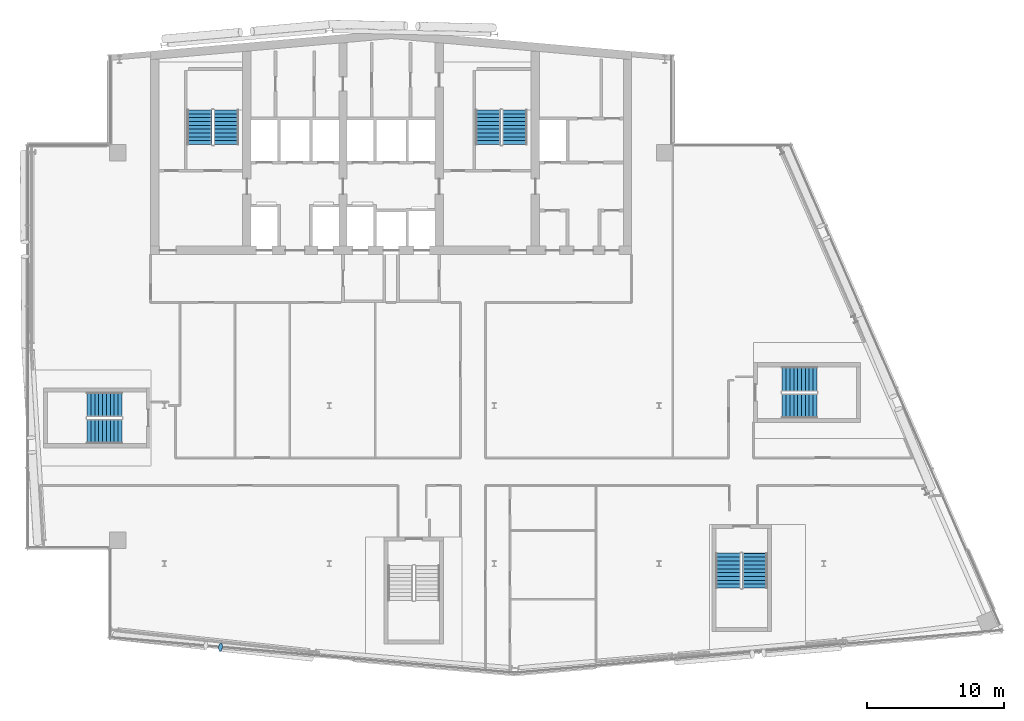
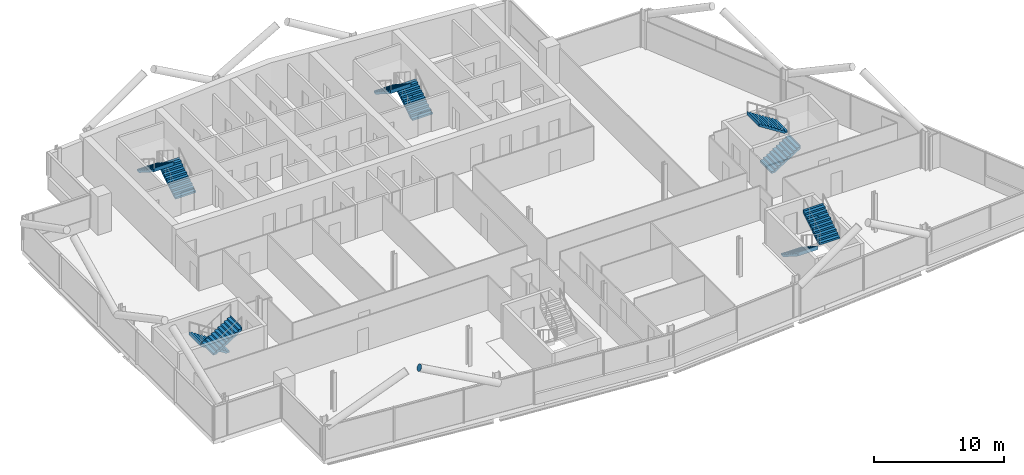
# One storey, part 20 of 26: 10 stair flights, 1 discrete accessory, 5 elements without a shape of their own.
"""IFC4 building model written with IfcOpenShell, lengths in metres."""

from ifc_helpers import new_model, si_unit, direction, frame, origin, origin_2d, place, context, subcontext, project, spatial, polyline, circle, outline, extrude, material, material_profile, profile_set, type_object, element, aggregate, save


model = new_model("IFC4")

# Units and contexts
model_context = context("Model", 3, precision=1e-05, world=origin(), true_north=direction((0.0, 1.0)))
body_context = subcontext(model_context, "Body", "Model", "MODEL_VIEW")
ifc_project = project(units=[si_unit("LENGTHUNIT", "METRE"), si_unit("AREAUNIT", "SQUARE_METRE"), si_unit("VOLUMEUNIT", "CUBIC_METRE"), si_unit("PLANEANGLEUNIT", "RADIAN"), si_unit("MASSUNIT", "GRAM", prefix="KILO")], contexts=[model_context])

# Site, building, storey
site_placement = place(None, origin())
site = spatial("IfcSite", under=ifc_project, at=site_placement, CompositionType="ELEMENT")
building_placement = place(site_placement, origin())
building = spatial("IfcBuilding", under=site, at=building_placement, Name="Wharfspan Tower", CompositionType="ELEMENT")
storey_placement = place(building_placement, frame((0.0, 0.0, 217.899902)))
storey = spatial("IfcBuildingStorey", under=building, at=storey_placement, Name="L54", CompositionType="ELEMENT", Elevation=217.899902)

# Stair, stair flights
ifc_material_1 = material(Name="Concrete C40/50", Category="concrete")
stair_type = type_object("IfcStairType", Name="Half-turn stair 20 risers 180 mm", PredefinedType="HALF_TURN_STAIR", material=ifc_material_1)
stair_1_placement = place(storey_placement, origin())
stair_1 = element("IfcStair", 1, at=stair_1_placement, inside=storey, type_object=stair_type, Name="L54 stair ST1", PredefinedType="HALF_TURN_STAIR")
stair_flight_type = type_object("IfcStairFlightType", Name="Stair flight 20 risers 180 mm", PredefinedType="STRAIGHT", material=ifc_material_1)
stair_flight_1_placement = place(storey_placement, frame((28.5, 42.0, 0.0), z_axis=(0.0, 0.0, 1.0), x_axis=(0.0, 1.0, 0.0)))
stair_flight_1 = element("IfcStairFlight", 2, at=stair_flight_1_placement, type_object=stair_flight_type, Name="ST1 flight 1", NumberOfRisers=10, NumberOfTreads=9, PredefinedType="STRAIGHT", RiserHeight=0.18, TreadLength=0.28, context=body_context, shape_type="SweptSolid", body=[
    extrude(outline(polyline([(-0.011963, 0.0), (-0.011963, 0.179932), (0.0, 0.179932), (0.280029, 0.179932), (0.280029, 0.360107), (0.560059, 0.360107), (0.560059, 0.540039), (0.840088, 0.540039), (0.840088, 0.719971), (1.120117, 0.719971), (1.120117, 0.899902), (1.399902, 0.899902), (1.399902, 1.080078), (1.679932, 1.080078), (1.679932, 1.26001), (1.959961, 1.26001), (1.959961, 1.439941), (2.23999, 1.439941), (2.23999, 1.620117), (2.52002, 1.620117), (2.531982, 1.800049), (2.531982, 1.441895), (0.2771, 0.0), (-0.011963, 0.0)])), frame((0.0, 0.899902, 0.0), z_axis=(0.0, -1.0, 0.0), x_axis=(1.0, 0.0, 0.0)), (0.0, 0.0, 1.0), 0.899414),
    extrude(outline(polyline([(-0.011963, 0.0), (-0.011963, 0.179932), (0.0, 0.179932), (0.280029, 0.179932), (0.280029, 0.360107), (0.560059, 0.360107), (0.560059, 0.540039), (0.840088, 0.540039), (0.840088, 0.719971), (1.120117, 0.719971), (1.120117, 0.899902), (1.399902, 0.899902), (1.399902, 1.080078), (1.679932, 1.080078), (1.679932, 1.26001), (1.959961, 1.26001), (1.959961, 1.439941), (2.23999, 1.439941), (2.23999, 1.620117), (2.52002, 1.620117), (2.531982, 1.800049), (2.531982, 1.441895), (0.2771, 0.0), (-0.011963, 0.0)])), frame((0.0, -0.000488, 0.0), z_axis=(0.0, -1.0, 0.0), x_axis=(1.0, 0.0, 0.0)), (0.0, 0.0, 1.0), 0.899414),
])
stair_flight_2_placement = place(storey_placement, frame((26.550049, 44.52002, 1.800049), z_axis=(0.0, 0.0, 1.0), x_axis=(0.0, -1.0, 0.0)))
stair_flight_2 = element("IfcStairFlight", 3, at=stair_flight_2_placement, type_object=stair_flight_type, Name="ST1 flight 2", NumberOfRisers=10, NumberOfTreads=9, PredefinedType="STRAIGHT", RiserHeight=0.18, TreadLength=0.28, context=body_context, shape_type="SweptSolid", body=[
    extrude(outline(polyline([(-0.011963, 0.0), (-0.011963, 0.179932), (0.0, 0.179932), (0.280029, 0.179932), (0.280029, 0.360107), (0.560059, 0.360107), (0.560059, 0.540039), (0.840088, 0.540039), (0.840088, 0.719971), (1.120117, 0.719971), (1.120117, 0.899902), (1.399902, 0.899902), (1.399902, 1.080078), (1.679932, 1.080078), (1.679932, 1.26001), (1.959961, 1.26001), (1.959961, 1.439941), (2.23999, 1.439941), (2.23999, 1.620117), (2.52002, 1.620117), (2.531982, 1.800049), (2.531982, 1.441895), (0.2771, 0.0), (-0.011963, 0.0)])), frame((0.0, 0.899902, 0.0), z_axis=(0.0, -1.0, 0.0), x_axis=(1.0, 0.0, 0.0)), (0.0, 0.0, 1.0), 0.899414),
    extrude(outline(polyline([(-0.011963, 0.0), (-0.011963, 0.179932), (0.0, 0.179932), (0.280029, 0.179932), (0.280029, 0.360107), (0.560059, 0.360107), (0.560059, 0.540039), (0.840088, 0.540039), (0.840088, 0.719971), (1.120117, 0.719971), (1.120117, 0.899902), (1.399902, 0.899902), (1.399902, 1.080078), (1.679932, 1.080078), (1.679932, 1.26001), (1.959961, 1.26001), (1.959961, 1.439941), (2.23999, 1.439941), (2.23999, 1.620117), (2.52002, 1.620117), (2.531982, 1.800049), (2.531982, 1.441895), (0.2771, 0.0), (-0.011963, 0.0)])), frame((0.0, -0.000488, 0.0), z_axis=(0.0, -1.0, 0.0), x_axis=(1.0, 0.0, 0.0)), (0.0, 0.0, 1.0), 0.899414),
])
aggregate(stair_1, [stair_flight_1, stair_flight_2])

stair_2_placement = place(storey_placement, origin())
stair_2 = element("IfcStair", 4, at=stair_2_placement, inside=storey, type_object=stair_type, Name="L54 stair ST2", PredefinedType="HALF_TURN_STAIR")
stair_flight_3_placement = place(storey_placement, frame((49.5, 42.0, 0.0), z_axis=(0.0, 0.0, 1.0), x_axis=(0.0, 1.0, 0.0)))
stair_flight_3 = element("IfcStairFlight", 5, at=stair_flight_3_placement, type_object=stair_flight_type, Name="ST2 flight 1", NumberOfRisers=10, NumberOfTreads=9, PredefinedType="STRAIGHT", RiserHeight=0.18, TreadLength=0.28, context=body_context, shape_type="SweptSolid", body=[
    extrude(outline(polyline([(-0.011963, 0.0), (-0.011963, 0.179932), (0.0, 0.179932), (0.280029, 0.179932), (0.280029, 0.360107), (0.560059, 0.360107), (0.560059, 0.540039), (0.840088, 0.540039), (0.840088, 0.719971), (1.120117, 0.719971), (1.120117, 0.899902), (1.399902, 0.899902), (1.399902, 1.080078), (1.679932, 1.080078), (1.679932, 1.26001), (1.959961, 1.26001), (1.959961, 1.439941), (2.23999, 1.439941), (2.23999, 1.620117), (2.52002, 1.620117), (2.531982, 1.800049), (2.531982, 1.441895), (0.2771, 0.0), (-0.011963, 0.0)])), frame((0.0, 0.899902, 0.0), z_axis=(0.0, -1.0, 0.0), x_axis=(1.0, 0.0, 0.0)), (0.0, 0.0, 1.0), 0.899414),
    extrude(outline(polyline([(-0.011963, 0.0), (-0.011963, 0.179932), (0.0, 0.179932), (0.280029, 0.179932), (0.280029, 0.360107), (0.560059, 0.360107), (0.560059, 0.540039), (0.840088, 0.540039), (0.840088, 0.719971), (1.120117, 0.719971), (1.120117, 0.899902), (1.399902, 0.899902), (1.399902, 1.080078), (1.679932, 1.080078), (1.679932, 1.26001), (1.959961, 1.26001), (1.959961, 1.439941), (2.23999, 1.439941), (2.23999, 1.620117), (2.52002, 1.620117), (2.531982, 1.800049), (2.531982, 1.441895), (0.2771, 0.0), (-0.011963, 0.0)])), frame((0.0, -0.000488, 0.0), z_axis=(0.0, -1.0, 0.0), x_axis=(1.0, 0.0, 0.0)), (0.0, 0.0, 1.0), 0.899414),
])
stair_flight_4_placement = place(storey_placement, frame((47.550049, 44.52002, 1.800049), z_axis=(0.0, 0.0, 1.0), x_axis=(0.0, -1.0, 0.0)))
stair_flight_4 = element("IfcStairFlight", 6, at=stair_flight_4_placement, type_object=stair_flight_type, Name="ST2 flight 2", NumberOfRisers=10, NumberOfTreads=9, PredefinedType="STRAIGHT", RiserHeight=0.18, TreadLength=0.28, context=body_context, shape_type="SweptSolid", body=[
    extrude(outline(polyline([(-0.011963, 0.0), (-0.011963, 0.179932), (0.0, 0.179932), (0.280029, 0.179932), (0.280029, 0.360107), (0.560059, 0.360107), (0.560059, 0.540039), (0.840088, 0.540039), (0.840088, 0.719971), (1.120117, 0.719971), (1.120117, 0.899902), (1.399902, 0.899902), (1.399902, 1.080078), (1.679932, 1.080078), (1.679932, 1.26001), (1.959961, 1.26001), (1.959961, 1.439941), (2.23999, 1.439941), (2.23999, 1.620117), (2.52002, 1.620117), (2.531982, 1.800049), (2.531982, 1.441895), (0.2771, 0.0), (-0.011963, 0.0)])), frame((0.0, 0.899902, 0.0), z_axis=(0.0, -1.0, 0.0), x_axis=(1.0, 0.0, 0.0)), (0.0, 0.0, 1.0), 0.899414),
    extrude(outline(polyline([(-0.011963, 0.0), (-0.011963, 0.179932), (0.0, 0.179932), (0.280029, 0.179932), (0.280029, 0.360107), (0.560059, 0.360107), (0.560059, 0.540039), (0.840088, 0.540039), (0.840088, 0.719971), (1.120117, 0.719971), (1.120117, 0.899902), (1.399902, 0.899902), (1.399902, 1.080078), (1.679932, 1.080078), (1.679932, 1.26001), (1.959961, 1.26001), (1.959961, 1.439941), (2.23999, 1.439941), (2.23999, 1.620117), (2.52002, 1.620117), (2.531982, 1.800049), (2.531982, 1.441895), (0.2771, 0.0), (-0.011963, 0.0)])), frame((0.0, -0.000488, 0.0), z_axis=(0.0, -1.0, 0.0), x_axis=(1.0, 0.0, 0.0)), (0.0, 0.0, 1.0), 0.899414),
])
aggregate(stair_2, [stair_flight_3, stair_flight_4])

stair_3_placement = place(storey_placement, origin())
stair_3 = element("IfcStair", 7, at=stair_3_placement, inside=storey, type_object=stair_type, Name="L54 stair ST3", PredefinedType="HALF_TURN_STAIR")
stair_flight_5_placement = place(storey_placement, frame((20.899902, 23.074951, 0.0), z_axis=(0.0, 0.0, 1.0), x_axis=(-1.0, 0.0, 0.0)))
stair_flight_5 = element("IfcStairFlight", 8, at=stair_flight_5_placement, type_object=stair_flight_type, Name="ST3 flight 1", NumberOfRisers=10, NumberOfTreads=9, PredefinedType="STRAIGHT", RiserHeight=0.18, TreadLength=0.28, context=body_context, shape_type="SweptSolid", body=[
    extrude(outline(polyline([(-0.011963, 0.0), (-0.011963, 0.179932), (0.0, 0.179932), (0.280029, 0.179932), (0.280029, 0.360107), (0.560059, 0.360107), (0.560059, 0.540039), (0.840088, 0.540039), (0.840088, 0.719971), (1.120117, 0.719971), (1.120117, 0.899902), (1.399902, 0.899902), (1.399902, 1.080078), (1.679932, 1.080078), (1.679932, 1.26001), (1.959961, 1.26001), (1.959961, 1.439941), (2.23999, 1.439941), (2.23999, 1.620117), (2.52002, 1.620117), (2.531982, 1.800049), (2.531982, 1.441895), (0.2771, 0.0), (-0.011963, 0.0)])), frame((0.0, 0.899902, 0.0), z_axis=(0.0, -1.0, 0.0), x_axis=(1.0, 0.0, 0.0)), (0.0, 0.0, 1.0), 0.899414),
    extrude(outline(polyline([(-0.011963, 0.0), (-0.011963, 0.179932), (0.0, 0.179932), (0.280029, 0.179932), (0.280029, 0.360107), (0.560059, 0.360107), (0.560059, 0.540039), (0.840088, 0.540039), (0.840088, 0.719971), (1.120117, 0.719971), (1.120117, 0.899902), (1.399902, 0.899902), (1.399902, 1.080078), (1.679932, 1.080078), (1.679932, 1.26001), (1.959961, 1.26001), (1.959961, 1.439941), (2.23999, 1.439941), (2.23999, 1.620117), (2.52002, 1.620117), (2.531982, 1.800049), (2.531982, 1.441895), (0.2771, 0.0), (-0.011963, 0.0)])), frame((0.0, -0.000488, 0.0), z_axis=(0.0, -1.0, 0.0), x_axis=(1.0, 0.0, 0.0)), (0.0, 0.0, 1.0), 0.899414),
])
stair_flight_6_placement = place(storey_placement, frame((18.379883, 21.125, 1.800049), z_axis=(0.0, 0.0, 1.0), x_axis=(1.0, 0.0, 0.0)))
stair_flight_6 = element("IfcStairFlight", 9, at=stair_flight_6_placement, type_object=stair_flight_type, Name="ST3 flight 2", NumberOfRisers=10, NumberOfTreads=9, PredefinedType="STRAIGHT", RiserHeight=0.18, TreadLength=0.28, context=body_context, shape_type="SweptSolid", body=[
    extrude(outline(polyline([(-0.011963, 0.0), (-0.011963, 0.179932), (0.0, 0.179932), (0.280029, 0.179932), (0.280029, 0.360107), (0.560059, 0.360107), (0.560059, 0.540039), (0.840088, 0.540039), (0.840088, 0.719971), (1.120117, 0.719971), (1.120117, 0.899902), (1.399902, 0.899902), (1.399902, 1.080078), (1.679932, 1.080078), (1.679932, 1.26001), (1.959961, 1.26001), (1.959961, 1.439941), (2.23999, 1.439941), (2.23999, 1.620117), (2.52002, 1.620117), (2.531982, 1.800049), (2.531982, 1.441895), (0.2771, 0.0), (-0.011963, 0.0)])), frame((0.0, 0.899902, 0.0), z_axis=(0.0, -1.0, 0.0), x_axis=(1.0, 0.0, 0.0)), (0.0, 0.0, 1.0), 0.899414),
    extrude(outline(polyline([(-0.011963, 0.0), (-0.011963, 0.179932), (0.0, 0.179932), (0.280029, 0.179932), (0.280029, 0.360107), (0.560059, 0.360107), (0.560059, 0.540039), (0.840088, 0.540039), (0.840088, 0.719971), (1.120117, 0.719971), (1.120117, 0.899902), (1.399902, 0.899902), (1.399902, 1.080078), (1.679932, 1.080078), (1.679932, 1.26001), (1.959961, 1.26001), (1.959961, 1.439941), (2.23999, 1.439941), (2.23999, 1.620117), (2.52002, 1.620117), (2.531982, 1.800049), (2.531982, 1.441895), (0.2771, 0.0), (-0.011963, 0.0)])), frame((0.0, -0.000488, 0.0), z_axis=(0.0, -1.0, 0.0), x_axis=(1.0, 0.0, 0.0)), (0.0, 0.0, 1.0), 0.899414),
])
aggregate(stair_3, [stair_flight_5, stair_flight_6])

stair_4_placement = place(storey_placement, origin())
stair_4 = element("IfcStair", 10, at=stair_4_placement, inside=storey, type_object=stair_type, Name="L54 stair ST5", PredefinedType="HALF_TURN_STAIR")
stair_flight_7_placement = place(storey_placement, frame((65.043701, 12.246094, 0.0), z_axis=(0.0, 0.0, 1.0), x_axis=(0.0, -1.0, 0.0)))
stair_flight_7 = element("IfcStairFlight", 11, at=stair_flight_7_placement, type_object=stair_flight_type, Name="ST5 flight 1", NumberOfRisers=10, NumberOfTreads=9, PredefinedType="STRAIGHT", RiserHeight=0.18, TreadLength=0.28, context=body_context, shape_type="SweptSolid", body=[
    extrude(outline(polyline([(-0.011963, 0.0), (-0.011963, 0.179932), (0.0, 0.179932), (0.280029, 0.179932), (0.280029, 0.360107), (0.560059, 0.360107), (0.560059, 0.540039), (0.840088, 0.540039), (0.840088, 0.719971), (1.120117, 0.719971), (1.120117, 0.899902), (1.399902, 0.899902), (1.399902, 1.080078), (1.679932, 1.080078), (1.679932, 1.26001), (1.959961, 1.26001), (1.959961, 1.439941), (2.23999, 1.439941), (2.23999, 1.620117), (2.52002, 1.620117), (2.531982, 1.800049), (2.531982, 1.441895), (0.2771, 0.0), (-0.011963, 0.0)])), frame((0.0, 0.899902, 0.0), z_axis=(0.0, -1.0, 0.0), x_axis=(1.0, 0.0, 0.0)), (0.0, 0.0, 1.0), 0.899414),
    extrude(outline(polyline([(-0.011963, 0.0), (-0.011963, 0.179932), (0.0, 0.179932), (0.280029, 0.179932), (0.280029, 0.360107), (0.560059, 0.360107), (0.560059, 0.540039), (0.840088, 0.540039), (0.840088, 0.719971), (1.120117, 0.719971), (1.120117, 0.899902), (1.399902, 0.899902), (1.399902, 1.080078), (1.679932, 1.080078), (1.679932, 1.26001), (1.959961, 1.26001), (1.959961, 1.439941), (2.23999, 1.439941), (2.23999, 1.620117), (2.52002, 1.620117), (2.531982, 1.800049), (2.531982, 1.441895), (0.2771, 0.0), (-0.011963, 0.0)])), frame((0.0, -0.000488, 0.0), z_axis=(0.0, -1.0, 0.0), x_axis=(1.0, 0.0, 0.0)), (0.0, 0.0, 1.0), 0.899414),
])
stair_flight_8_placement = place(storey_placement, frame((66.993896, 9.726074, 1.800049), z_axis=(0.0, 0.0, 1.0), x_axis=(0.0, 1.0, 0.0)))
stair_flight_8 = element("IfcStairFlight", 12, at=stair_flight_8_placement, type_object=stair_flight_type, Name="ST5 flight 2", NumberOfRisers=10, NumberOfTreads=9, PredefinedType="STRAIGHT", RiserHeight=0.18, TreadLength=0.28, context=body_context, shape_type="SweptSolid", body=[
    extrude(outline(polyline([(-0.011963, 0.0), (-0.011963, 0.179932), (0.0, 0.179932), (0.280029, 0.179932), (0.280029, 0.360107), (0.560059, 0.360107), (0.560059, 0.540039), (0.840088, 0.540039), (0.840088, 0.719971), (1.120117, 0.719971), (1.120117, 0.899902), (1.399902, 0.899902), (1.399902, 1.080078), (1.679932, 1.080078), (1.679932, 1.26001), (1.959961, 1.26001), (1.959961, 1.439941), (2.23999, 1.439941), (2.23999, 1.620117), (2.52002, 1.620117), (2.531982, 1.800049), (2.531982, 1.441895), (0.2771, 0.0), (-0.011963, 0.0)])), frame((0.0, 0.899902, 0.0), z_axis=(0.0, -1.0, 0.0), x_axis=(1.0, 0.0, 0.0)), (0.0, 0.0, 1.0), 0.899414),
    extrude(outline(polyline([(-0.011963, 0.0), (-0.011963, 0.179932), (0.0, 0.179932), (0.280029, 0.179932), (0.280029, 0.360107), (0.560059, 0.360107), (0.560059, 0.540039), (0.840088, 0.540039), (0.840088, 0.719971), (1.120117, 0.719971), (1.120117, 0.899902), (1.399902, 0.899902), (1.399902, 1.080078), (1.679932, 1.080078), (1.679932, 1.26001), (1.959961, 1.26001), (1.959961, 1.439941), (2.23999, 1.439941), (2.23999, 1.620117), (2.52002, 1.620117), (2.531982, 1.800049), (2.531982, 1.441895), (0.2771, 0.0), (-0.011963, 0.0)])), frame((0.0, -0.000488, 0.0), z_axis=(0.0, -1.0, 0.0), x_axis=(1.0, 0.0, 0.0)), (0.0, 0.0, 1.0), 0.899414),
])
aggregate(stair_4, [stair_flight_7, stair_flight_8])

stair_5_placement = place(storey_placement, origin())
stair_5 = element("IfcStair", 13, at=stair_5_placement, inside=storey, type_object=stair_type, Name="L54 stair ST6", PredefinedType="HALF_TURN_STAIR")
stair_flight_9_placement = place(storey_placement, frame((68.969482, 22.975098, 0.0), z_axis=(0.0, 0.0, 1.0), x_axis=(1.0, 0.0, 0.0)))
stair_flight_9 = element("IfcStairFlight", 14, at=stair_flight_9_placement, type_object=stair_flight_type, Name="ST6 flight 1", NumberOfRisers=10, NumberOfTreads=9, PredefinedType="STRAIGHT", RiserHeight=0.18, TreadLength=0.28, context=body_context, shape_type="SweptSolid", body=[
    extrude(outline(polyline([(-0.011963, 0.0), (-0.011963, 0.179932), (0.0, 0.179932), (0.280029, 0.179932), (0.280029, 0.360107), (0.560059, 0.360107), (0.560059, 0.540039), (0.840088, 0.540039), (0.840088, 0.719971), (1.120117, 0.719971), (1.120117, 0.899902), (1.399902, 0.899902), (1.399902, 1.080078), (1.679932, 1.080078), (1.679932, 1.26001), (1.959961, 1.26001), (1.959961, 1.439941), (2.23999, 1.439941), (2.23999, 1.620117), (2.52002, 1.620117), (2.531982, 1.800049), (2.531982, 1.441895), (0.2771, 0.0), (-0.011963, 0.0)])), frame((0.0, 0.899902, 0.0), z_axis=(0.0, -1.0, 0.0), x_axis=(1.0, 0.0, 0.0)), (0.0, 0.0, 1.0), 0.899414),
    extrude(outline(polyline([(-0.011963, 0.0), (-0.011963, 0.179932), (0.0, 0.179932), (0.280029, 0.179932), (0.280029, 0.360107), (0.560059, 0.360107), (0.560059, 0.540039), (0.840088, 0.540039), (0.840088, 0.719971), (1.120117, 0.719971), (1.120117, 0.899902), (1.399902, 0.899902), (1.399902, 1.080078), (1.679932, 1.080078), (1.679932, 1.26001), (1.959961, 1.26001), (1.959961, 1.439941), (2.23999, 1.439941), (2.23999, 1.620117), (2.52002, 1.620117), (2.531982, 1.800049), (2.531982, 1.441895), (0.2771, 0.0), (-0.011963, 0.0)])), frame((0.0, -0.000488, 0.0), z_axis=(0.0, -1.0, 0.0), x_axis=(1.0, 0.0, 0.0)), (0.0, 0.0, 1.0), 0.899414),
])
stair_flight_10_placement = place(storey_placement, frame((71.489502, 24.925049, 1.800049), z_axis=(0.0, 0.0, 1.0), x_axis=(-1.0, 0.0, 0.0)))
stair_flight_10 = element("IfcStairFlight", 15, at=stair_flight_10_placement, type_object=stair_flight_type, Name="ST6 flight 2", NumberOfRisers=10, NumberOfTreads=9, PredefinedType="STRAIGHT", RiserHeight=0.18, TreadLength=0.28, context=body_context, shape_type="SweptSolid", body=[
    extrude(outline(polyline([(-0.011963, 0.0), (-0.011963, 0.179932), (0.0, 0.179932), (0.280029, 0.179932), (0.280029, 0.360107), (0.560059, 0.360107), (0.560059, 0.540039), (0.840088, 0.540039), (0.840088, 0.719971), (1.120117, 0.719971), (1.120117, 0.899902), (1.399902, 0.899902), (1.399902, 1.080078), (1.679932, 1.080078), (1.679932, 1.26001), (1.959961, 1.26001), (1.959961, 1.439941), (2.23999, 1.439941), (2.23999, 1.620117), (2.52002, 1.620117), (2.531982, 1.800049), (2.531982, 1.441895), (0.2771, 0.0), (-0.011963, 0.0)])), frame((0.0, 0.899902, 0.0), z_axis=(0.0, -1.0, 0.0), x_axis=(1.0, 0.0, 0.0)), (0.0, 0.0, 1.0), 0.899414),
    extrude(outline(polyline([(-0.011963, 0.0), (-0.011963, 0.179932), (0.0, 0.179932), (0.280029, 0.179932), (0.280029, 0.360107), (0.560059, 0.360107), (0.560059, 0.540039), (0.840088, 0.540039), (0.840088, 0.719971), (1.120117, 0.719971), (1.120117, 0.899902), (1.399902, 0.899902), (1.399902, 1.080078), (1.679932, 1.080078), (1.679932, 1.26001), (1.959961, 1.26001), (1.959961, 1.439941), (2.23999, 1.439941), (2.23999, 1.620117), (2.52002, 1.620117), (2.531982, 1.800049), (2.531982, 1.441895), (0.2771, 0.0), (-0.011963, 0.0)])), frame((0.0, -0.000488, 0.0), z_axis=(0.0, -1.0, 0.0), x_axis=(1.0, 0.0, 0.0)), (0.0, 0.0, 1.0), 0.899414),
])
aggregate(stair_5, [stair_flight_9, stair_flight_10])

# Discrete accessory
ifc_material_2 = material(Name="Steel S460NH", Category="steel")
ifc_material_profile = material_profile(ifc_material_2, circle(Radius=0.304932, at=origin_2d()))
ifc_profile_set = profile_set([ifc_material_profile], Name="Steel S460NH")
discrete_accessory_type = type_object("IfcDiscreteAccessoryType", Name="End plate CHS 610x25", PredefinedType="BRACKET", material=ifc_profile_set)
discrete_accessory_placement = place(storey_placement, frame((28.088867, 5.410889, 6.229004), z_axis=(-0.890043, 0.098894, 0.445021), x_axis=(-0.110431, -0.99388, 1e-06)))
element("IfcDiscreteAccessory", 16, at=discrete_accessory_placement, inside=storey, type_object=discrete_accessory_type, Name="End plate CHS 610x25", PredefinedType="BRACKET", context=body_context, shape_type="SweptSolid", body=[
    extrude(circle(Radius=0.304932, at=origin_2d()), origin(), (0.0, 0.0, 1.0), 0.009766),
])

save(model, "model.ifc")
